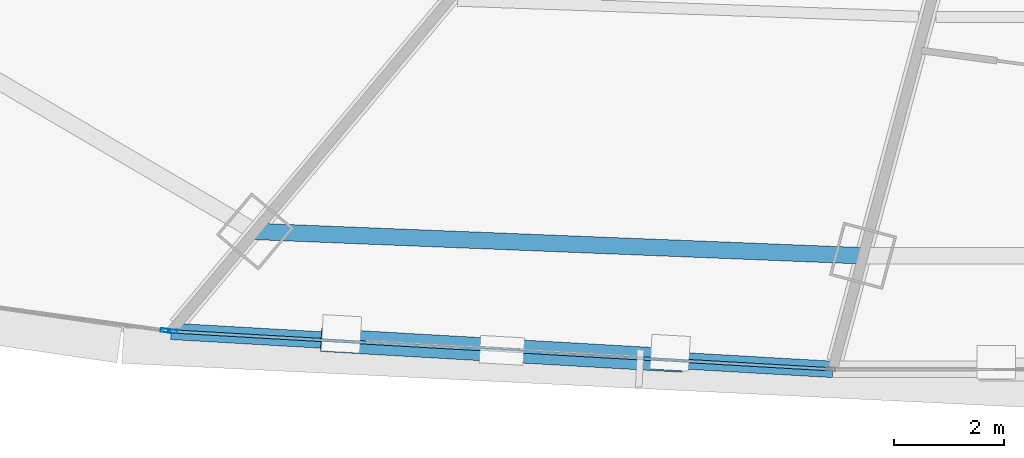
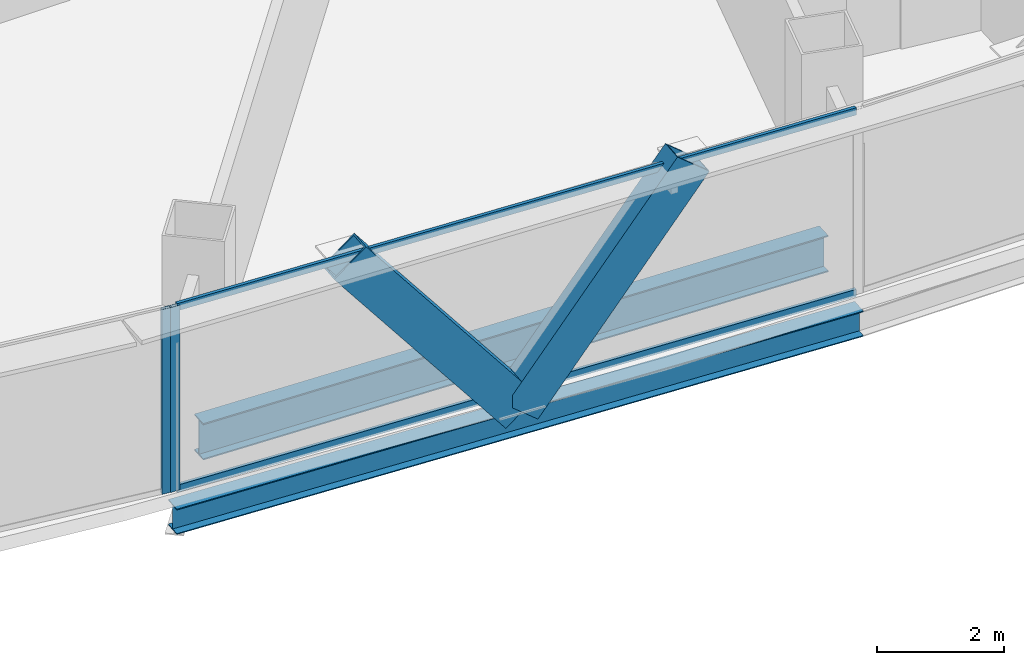
# One storey, part 6 of 37: 6 members, 2 beams, 2 elements without a shape of their own.
"""IFC4 building model written with IfcOpenShell, lengths in metres."""

from ifc_helpers import new_model, si_unit, direction, frame, origin, origin_2d, place, context, subcontext, project, spatial, hollow_rectangle, i_section, extrude, source, transform, mapped, material, layer, layer_set, material_profile, profile_set, type_object, element, aggregate, save


model = new_model("IFC4")

# Units and contexts
model_context = context("Model", 3, precision=1e-05, world=origin(), true_north=direction((0.0, 1.0)))
body_context = subcontext(model_context, "Body", "Model", "MODEL_VIEW")
ifc_project = project(units=[si_unit("LENGTHUNIT", "METRE"), si_unit("AREAUNIT", "SQUARE_METRE"), si_unit("VOLUMEUNIT", "CUBIC_METRE"), si_unit("PLANEANGLEUNIT", "RADIAN"), si_unit("MASSUNIT", "GRAM", prefix="KILO"), si_unit("THERMODYNAMICTEMPERATUREUNIT", "KELVIN"), si_unit("POWERUNIT", "WATT")], contexts=[model_context])

# Site, building, storey
site_placement = place(None, origin())
site = spatial("IfcSite", under=ifc_project, at=site_placement, CompositionType="ELEMENT")
building_placement = place(site_placement, origin())
building = spatial("IfcBuilding", under=site, at=building_placement, Name="Yunzhuo Pagoda Commons", CompositionType="ELEMENT")
storey_placement = place(building_placement, frame((0.0, 0.0, 88.780029296875)))
storey = spatial("IfcBuildingStorey", under=building, at=storey_placement, Name="L22", CompositionType="ELEMENT", Elevation=88.780029296875)

# Beams
ifc_material_1 = material(Name="Structural steel Q355B", Category="steel")
ifc_material_profile_1 = material_profile(ifc_material_1, i_section(OverallWidth=0.300048828125, OverallDepth=0.488037109375, WebThickness=0.010986328125, FlangeThickness=0.01806640625, at=origin_2d()), Name="Structural steel Q355B")
ifc_profile_set_1 = profile_set([ifc_material_profile_1], Name="Structural steel Q355B")
beam_type_1 = type_object("IfcBeamType", Name="B-SP1 Beam HM 488x300x11x18", PredefinedType="BEAM", material=ifc_profile_set_1)
shared_shape_1 = source(origin(), body_context, "Body", "SweptSolid", [
    extrude(i_section(OverallWidth=0.300048828125, OverallDepth=0.488037109375, WebThickness=0.010986328125, FlangeThickness=0.01806640625, at=origin_2d()), origin(), (0.0, 0.0, 1.0), 12.060791015625),
])
beam_1_placement = place(storey_placement, frame((30.037841796875, 12.293701171875, -0.504150390625), z_axis=(0.99834961986, -0.057428534065, 0.0), x_axis=(0.057428534065, 0.99834961986, 0.0)))
element("IfcBeam", 1, at=beam_1_placement, inside=storey, type_object=beam_type_1, Name="L22 facade edge spandrel beam F1.1", PredefinedType="BEAM", context=body_context, shape_type="MappedRepresentation", body=[
    mapped(shared_shape_1, transform((0.0, 0.0, 0.0), scale=1.0)),
])
ifc_material_profile_2 = material_profile(ifc_material_1, i_section(OverallWidth=0.300048828125, OverallDepth=0.699951171875, WebThickness=0.012939453125, FlangeThickness=0.02392578125, at=origin_2d()), Name="Structural steel Q355B")
ifc_profile_set_2 = profile_set([ifc_material_profile_2], Name="Structural steel Q355B")
beam_type_2 = type_object("IfcBeamType", Name="B-RG1 Beam HN 700x300x13x24", PredefinedType="BEAM", material=ifc_profile_set_2)
shared_shape_2 = source(origin(), body_context, "Body", "SweptSolid", [
    extrude(i_section(OverallWidth=0.300048828125, OverallDepth=0.699951171875, WebThickness=0.012939453125, FlangeThickness=0.02392578125, at=origin_2d()), origin(), (0.0, 0.0, 1.0), 11.077392578125),
])
beam_2_placement = place(storey_placement, frame((31.56396484375, 14.1123046875, -0.610107421875), z_axis=(0.999196975427, -0.040067496776, 0.0), x_axis=(0.040067496776, 0.999196975427, 0.0)))
element("IfcBeam", 2, at=beam_2_placement, inside=storey, type_object=beam_type_2, Name="L22 column-ring beam 1", PredefinedType="BEAM", context=body_context, shape_type="MappedRepresentation", body=[
    mapped(shared_shape_2, transform((0.0, 0.0, 0.0), scale=1.0)),
])

# Members
ifc_material_2 = material(Name="Structural steel Q420B", Category="steel")
ifc_material_profile_3 = material_profile(ifc_material_2, hollow_rectangle(XDim=0.419921875, YDim=0.719970703125, WallThickness=0.028076171875, at=origin_2d()), Name="Structural steel Q420B")
ifc_profile_set_3 = profile_set([ifc_material_profile_3], Name="Structural steel Q420B")
member_type_1 = type_object("IfcMemberType", Name="M-DL1 Brace BOX 720x420x28", PredefinedType="BRACE", material=ifc_profile_set_3)
shared_shape_3 = source(origin(), body_context, "Body", "SweptSolid", [
    extrude(hollow_rectangle(XDim=0.419921875, YDim=0.719970703125, WallThickness=0.028076171875, at=origin_2d()), origin(), (0.0, 0.0, 1.0), 4.850830078125),
])
member_1_placement = place(storey_placement, frame((36.058349609375, 11.947509765625, -0.259765625), z_axis=(-0.62056946573, 0.035734332576, 0.783336834114), x_axis=(-0.057487899777, -0.998346203168, 0.0)))
element("IfcMember", 3, at=member_1_placement, inside=storey, type_object=member_type_1, Name="L22 facade diamond brace F1.1L", PredefinedType="BRACE", context=body_context, shape_type="MappedRepresentation", body=[
    mapped(shared_shape_3, transform((0.0, 0.0, 0.0), scale=1.0)),
])
shared_shape_4 = source(origin(), body_context, "Body", "SweptSolid", [
    extrude(hollow_rectangle(XDim=0.419921875, YDim=0.719970703125, WallThickness=0.028076171875, at=origin_2d()), origin(), (0.0, 0.0, 1.0), 4.8505859375),
])
member_2_placement = place(storey_placement, frame((36.058349609375, 11.947509765625, -0.259765625), z_axis=(0.62053851666, -0.035735448684, 0.783361300454), x_axis=(0.057492547184, 0.998345935545, 0.0)))
element("IfcMember", 4, at=member_2_placement, inside=storey, type_object=member_type_1, Name="L22 facade diamond brace F1.1R", PredefinedType="BRACE", context=body_context, shape_type="MappedRepresentation", body=[
    mapped(shared_shape_4, transform((0.0, 0.0, 0.0), scale=1.0)),
])

# Curtain wall, member
ifc_material_3 = material(Name="Anodized aluminium 6063-T6", Category="aluminium")
ifc_layer = layer(ifc_material_3, 0.1650390625)
ifc_layer_set = layer_set([ifc_layer], Name="Anodized aluminium 6063-T6")
curtain_wall_type = type_object("IfcCurtainWallType", Name="CW-LOW Low-Zone Ribbon Curtain Wall", PredefinedType="NOTDEFINED", material=ifc_layer_set)
curtain_wall_1_placement = place(storey_placement, origin())
curtain_wall_1 = element("IfcCurtainWall", 5, at=curtain_wall_1_placement, inside=storey, type_object=curtain_wall_type, Name="L22 curtain wall CW-L22-F1B2", PredefinedType="NOTDEFINED")
ifc_material_profile_4 = material_profile(ifc_material_3, hollow_rectangle(XDim=0.06494140625, YDim=0.1650390625, WallThickness=0.00390625, at=origin_2d()), Name="Anodized aluminium 6063-T6")
ifc_profile_set_4 = profile_set([ifc_material_profile_4], Name="Anodized aluminium 6063-T6")
member_type_2 = type_object("IfcMemberType", Name="CW-LOW-M Mullion RHS 165x65x4", PredefinedType="MULLION", material=ifc_profile_set_4)
shared_shape_5 = source(origin(), body_context, "Body", "SweptSolid", [
    extrude(hollow_rectangle(XDim=0.06494140625, YDim=0.1650390625, WallThickness=0.00390625, at=origin_2d()), origin(), (0.0, 0.0, 1.0), 3.5400390625),
])
member_3_placement = place(storey_placement, frame((30.070556640625, 12.291748046875, 0.0), z_axis=(0.0, 0.0, 1.0), x_axis=(0.057418382325, 0.998350203772, 0.0)))
member_3 = element("IfcMember", 6, at=member_3_placement, type_object=member_type_2, Name="CW mullion 1", PredefinedType="MULLION", context=body_context, shape_type="MappedRepresentation", body=[
    mapped(shared_shape_5, transform((0.0, 0.0, 0.0), scale=1.0)),
])

curtain_wall_2_placement = place(storey_placement, origin())
curtain_wall_2 = element("IfcCurtainWall", 7, at=curtain_wall_2_placement, inside=storey, type_object=curtain_wall_type, Name="L22 curtain wall CW-L22-F1B1", PredefinedType="NOTDEFINED")
member_4_placement = place(storey_placement, frame((29.931640625, 12.308349609375, 0.0), z_axis=(0.0, 0.0, 1.0), x_axis=(0.137495700118, 0.990502363677, 0.0)))
member_4 = element("IfcMember", 8, at=member_4_placement, type_object=member_type_2, Name="CW mullion 2", PredefinedType="MULLION", context=body_context, shape_type="MappedRepresentation", body=[
    mapped(shared_shape_5, transform((0.0, 0.0, 0.0), scale=1.0)),
])
aggregate(curtain_wall_2, [member_4])

# Member
ifc_material_profile_5 = material_profile(ifc_material_3, hollow_rectangle(XDim=0.06005859375, YDim=0.139892578125, WallThickness=0.00341796875, at=origin_2d()), Name="Anodized aluminium 6063-T6")
ifc_profile_set_5 = profile_set([ifc_material_profile_5], Name="Anodized aluminium 6063-T6")
member_type_3 = type_object("IfcMemberType", Name="CW-LOW-T Transom RHS 140x60x3.5", PredefinedType="USERDEFINED", material=ifc_profile_set_5)
shared_shape_6 = source(origin(), body_context, "Body", "SweptSolid", [
    extrude(hollow_rectangle(XDim=0.06005859375, YDim=0.139892578125, WallThickness=0.00341796875, at=origin_2d()), origin(), (0.0, 0.0, 1.0), 11.9306640625),
])
member_5_placement = place(storey_placement, frame((30.102783203125, 12.289794921875, 0.030029296875), z_axis=(0.998350086209, -0.057420426382, 0.0), x_axis=(0.057420426382, 0.998350086209, 0.0)))
member_5 = element("IfcMember", 9, at=member_5_placement, type_object=member_type_3, Name="CW transom 1.1", ObjectType="TRANSOM", PredefinedType="USERDEFINED", context=body_context, shape_type="MappedRepresentation", body=[
    mapped(shared_shape_6, transform((0.0, 0.0, 0.0), scale=1.0)),
])

member_6_placement = place(storey_placement, frame((30.102783203125, 12.289794921875, 3.510009765625), z_axis=(0.998350086209, -0.057420426382, 0.0), x_axis=(0.057420426382, 0.998350086209, 0.0)))
member_6 = element("IfcMember", 10, at=member_6_placement, type_object=member_type_3, Name="CW transom 1.2", ObjectType="TRANSOM", PredefinedType="USERDEFINED", context=body_context, shape_type="MappedRepresentation", body=[
    mapped(shared_shape_6, transform((0.0, 0.0, 0.0), scale=1.0)),
])

aggregate(curtain_wall_1, [member_3, member_5, member_6])

save(model, "model.ifc")
